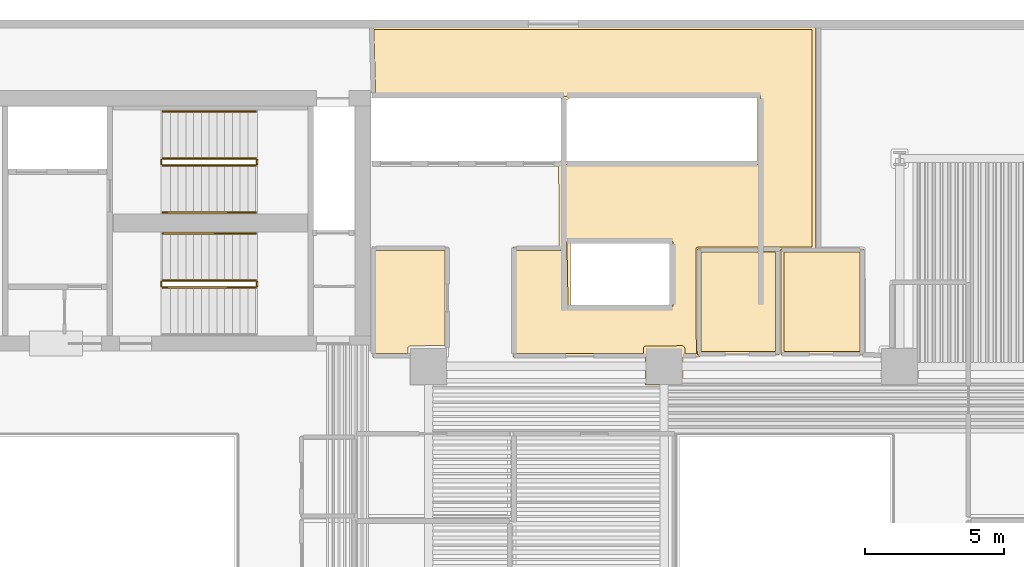
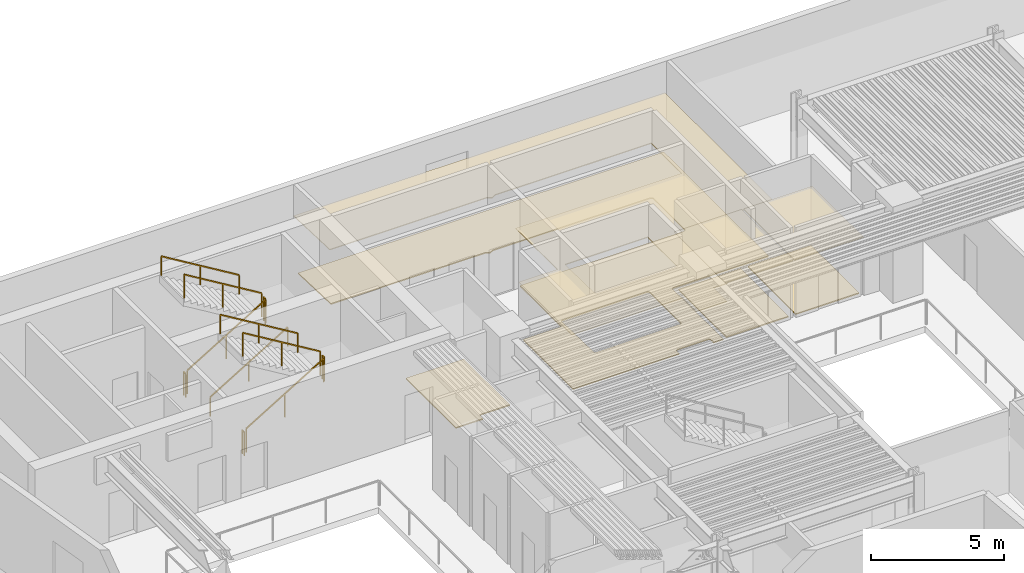
# One storey, part 11 of 12: 11 railings, 7 coverings.
"""IFC4 building model written with IfcOpenShell, lengths in metres."""

from ifc_helpers import new_model, si_unit, direction, frame, origin, origin_2d, place, context, subcontext, project, spatial, polyline, rectangle, outline, extrude, material, layer, layer_set, type_object, element, save


model = new_model("IFC4")

# Units and contexts
model_context = context("Model", 3, precision=1e-05, world=origin(), true_north=direction((0.0, 1.0)))
body_context = subcontext(model_context, "Body", "Model", "MODEL_VIEW")
ifc_project = project(units=[si_unit("LENGTHUNIT", "METRE"), si_unit("AREAUNIT", "SQUARE_METRE"), si_unit("VOLUMEUNIT", "CUBIC_METRE"), si_unit("PLANEANGLEUNIT", "RADIAN"), si_unit("MASSUNIT", "GRAM", prefix="KILO")], contexts=[model_context])

# Site, building, storey
site_placement = place(None, origin())
site = spatial("IfcSite", under=ifc_project, at=site_placement, CompositionType="ELEMENT")
building_placement = place(site_placement, origin())
building = spatial("IfcBuilding", under=site, at=building_placement, Name="Caeloran Harvest Quay", CompositionType="ELEMENT")
storey_placement = place(building_placement, frame((0.0, 0.0, 84.199951171875)))
storey = spatial("IfcBuildingStorey", under=building, at=storey_placement, Name="L19", CompositionType="ELEMENT", Elevation=84.199951171875)

# Coverings
ifc_material_1 = material(Name="Perforated Mineral-Fibre Acoustic Ceiling Tile", Category="ceiling")
ifc_layer_1 = layer(ifc_material_1, 0.0400390625, Name="Perforated Mineral-Fibre Acoustic Ceiling Tile")
ifc_layer_set_1 = layer_set([ifc_layer_1], Name="Perforated Mineral-Fibre Acoustic Ceiling Tile")
covering_type_1 = type_object("IfcCoveringType", Name="COV-CEILING-ACOUSTIC", PredefinedType="CEILING", material=ifc_layer_set_1)
covering_1_placement = place(storey_placement, frame((0.0, 0.0, 2.60009765625)))
element("IfcCovering", 1, at=covering_1_placement, inside=storey, type_object=covering_type_1, Name="L19 Core Telemetry West Room Acoustic Ceiling", PredefinedType="CEILING", context=body_context, shape_type="SweptSolid", body=[
    extrude(outline(polyline([(38.139892578125, 35.239990234375), (38.139892578125, 31.409912109375), (35.2099609375, 31.409912109375), (35.2099609375, 35.239990234375), (38.139892578125, 35.239990234375)])), origin(), (0.0, 0.0, 1.0), 0.0400390625),
])
covering_2_placement = place(storey_placement, frame((0.0, 0.0, 2.60009765625)))
element("IfcCovering", 2, at=covering_2_placement, inside=storey, type_object=covering_type_1, Name="L19 Core Metering East Room Acoustic Ceiling", PredefinedType="CEILING", context=body_context, shape_type="SweptSolid", body=[
    extrude(outline(polyline([(41.18994140625, 35.239990234375), (41.18994140625, 31.409912109375), (38.2099609375, 31.409912109375), (38.2099609375, 35.239990234375), (41.18994140625, 35.239990234375)])), origin(), (0.0, 0.0, 1.0), 0.0400390625),
])
covering_3_placement = place(storey_placement, frame((0.0, 0.0, 2.60009765625)))
element("IfcCovering", 3, at=covering_3_placement, inside=storey, type_object=covering_type_1, Name="Seed Library Reading Lounge 12 Acoustic Ceiling", PredefinedType="CEILING", context=body_context, shape_type="SweptSolid", body=[
    extrude(outline(polyline([(34.669921875, 30.330078125), (33.330078125, 30.330078125), (33.330078125, 31.340087890625), (28.5400390625, 31.340087890625), (28.5400390625, 35.31005859375), (30.209716796875, 35.31005859375), (30.189697265625, 38.409912109375), (37.3701171875, 38.409912109375), (37.3701171875, 40.68994140625), (30.61083984375, 40.68994140625), (30.43994140625, 40.5888671875), (30.26904296875, 40.68994140625), (23.47119140625, 40.68994140625), (23.399658203125, 43.280029296875), (39.4599609375, 43.280029296875), (39.4599609375, 35.18994140625), (35.26025390625, 35.18994140625), (35.2802734375, 31.340087890625), (34.669921875, 31.340087890625), (34.669921875, 30.330078125)]), holes=[polyline([(30.610595703125, 35.43994140625), (30.639404296875, 33.2099609375), (34.18994140625, 33.2099609375), (34.18994140625, 35.43994140625), (30.610595703125, 35.43994140625)])]), origin(), (0.0, 0.0, 1.0), 0.0400390625),
])
ifc_material_2 = material(Name="Calcium-Sulphate Raised Access Floor and Terrazzo Finish", Category="flooring")
ifc_layer_2 = layer(ifc_material_2, 0.050048828125, Name="Calcium-Sulphate Raised Access Floor and Terrazzo Finish")
ifc_layer_set_2 = layer_set([ifc_layer_2], Name="Calcium-Sulphate Raised Access Floor and Terrazzo Finish")
covering_type_2 = type_object("IfcCoveringType", Name="COV-FLOOR-RAISED", PredefinedType="FLOORING", material=ifc_layer_set_2)
covering_4_placement = place(storey_placement, origin())
element("IfcCovering", 4, at=covering_4_placement, inside=storey, type_object=covering_type_2, Name="L19 Core Telemetry West Room Raised Finish Flooring", PredefinedType="FLOORING", context=body_context, shape_type="SweptSolid", body=[
    extrude(outline(polyline([(38.02001953125, 35.1201171875), (38.02001953125, 31.530029296875), (35.330078125, 31.530029296875), (35.330078125, 35.1201171875), (38.02001953125, 35.1201171875)])), origin(), (0.0, 0.0, 1.0), 0.050048828125),
])
covering_5_placement = place(storey_placement, origin())
element("IfcCovering", 5, at=covering_5_placement, inside=storey, type_object=covering_type_2, Name="L19 Core Metering East Room Raised Finish Flooring", PredefinedType="FLOORING", context=body_context, shape_type="SweptSolid", body=[
    extrude(outline(polyline([(41.070068359375, 35.1201171875), (41.070068359375, 31.530029296875), (38.330078125, 31.530029296875), (38.330078125, 35.1201171875), (41.070068359375, 35.1201171875)])), origin(), (0.0, 0.0, 1.0), 0.050048828125),
])
covering_6_placement = place(storey_placement, origin())
element("IfcCovering", 6, at=covering_6_placement, inside=storey, type_object=covering_type_2, Name="Sensory Fermentation Kitchen 10 Raised Finish Flooring", PredefinedType="FLOORING", context=body_context, shape_type="SweptSolid", body=[
    extrude(outline(polyline([(23.590087890625, 35.18994140625), (26.090087890625, 35.18994140625), (26.090087890625, 31.7451171875), (24.8271484375, 31.74462890625), (24.75830078125, 31.688232421875), (24.7548828125, 31.4599609375), (23.590087890625, 31.4599609375), (23.590087890625, 35.18994140625)])), origin(), (0.0, 0.0, 1.0), 0.050048828125),
])
covering_7_placement = place(storey_placement, origin())
element("IfcCovering", 7, at=covering_7_placement, inside=storey, type_object=covering_type_2, Name="Seed Library Reading Lounge 12 Raised Finish Flooring", PredefinedType="FLOORING", context=body_context, shape_type="SweptSolid", body=[
    extrude(outline(polyline([(39.340087890625, 35.31005859375), (35.219970703125, 35.31005859375), (35.163330078125, 35.286376953125), (35.139892578125, 35.2294921875), (35.15966796875, 31.4599609375), (34.7451171875, 31.4599609375), (34.74169921875, 31.688232421875), (34.6650390625, 31.7451171875), (33.3193359375, 31.743408203125), (33.256591796875, 31.6806640625), (33.2548828125, 31.4599609375), (28.659912109375, 31.4599609375), (28.659912109375, 35.18994140625), (30.25, 35.18994140625), (30.32080078125, 35.232666015625), (30.310546875, 38.2900390625), (37.43310546875, 38.29345703125), (37.489990234375, 38.3701171875), (37.48388671875, 40.760498046875), (37.409912109375, 40.81005859375), (30.60009765625, 40.81005859375), (30.43994140625, 40.728271484375), (30.280029296875, 40.81005859375), (23.587890625, 40.81005859375), (23.523193359375, 43.159912109375), (39.340087890625, 43.159912109375), (39.340087890625, 35.31005859375)]), holes=[polyline([(34.31005859375, 35.47998046875), (34.28662109375, 35.53662109375), (34.22998046875, 35.56005859375), (30.525146484375, 35.54638671875), (30.489990234375, 35.47900390625), (30.53369140625, 33.125), (30.60009765625, 33.090087890625), (34.2744140625, 33.103515625), (34.31005859375, 33.169921875), (34.31005859375, 35.47998046875)])]), origin(), (0.0, 0.0, 1.0), 0.050048828125),
])

# Railings
ifc_material_3 = material(Name="Painted Steel Baluster and Top-Rail Stair Guard", Category="steel")
ifc_layer_3 = layer(ifc_material_3, 0.050048828125, Name="Painted Steel Baluster and Top-Rail Stair Guard")
ifc_layer_set_3 = layer_set([ifc_layer_3], Name="Painted Steel Baluster and Top-Rail Stair Guard")
railing_type_1 = type_object("IfcRailingType", Name="STAIR-GUARD-1100", PredefinedType="GUARDRAIL", material=ifc_layer_set_3)
railing_1_placement = place(storey_placement, frame((15.89990234375, 38.25, 0.169189453125)))
element("IfcRailing", 8, at=railing_1_placement, inside=storey, type_object=railing_type_1, Name="L19 ST-C1 stair guard 1", PredefinedType="GUARDRAIL", context=body_context, shape_type="SweptSolid", body=[
    extrude(rectangle(XDim=0.048095703125, YDim=0.048095703125, at=origin_2d()), frame((0.0, 0.0, 1.076171875), z_axis=(0.855836976705, 0.0, 0.517245656632), x_axis=(0.0, 1.0, 0.0)), (0.0, 0.0, 1.0), 3.926025390625),
    extrude(rectangle(XDim=0.0419921875, YDim=0.0419921875, at=origin_2d()), origin(), (0.0, 0.0, 1.0), 1.052001953125),
    extrude(rectangle(XDim=0.0419921875, YDim=0.0419921875, at=origin_2d()), frame((1.68017578125, 0.0, 1.015380859375)), (0.0, 0.0, 1.0), 1.052001953125),
    extrude(rectangle(XDim=0.0419921875, YDim=0.0419921875, at=origin_2d()), frame((3.360107421875, 0.0, 2.03076171875)), (0.0, 0.0, 1.0), 1.052001953125),
])
railing_2_placement = place(storey_placement, frame((19.31005859375, 38.300048828125, 2.199951171875)))
element("IfcRailing", 9, at=railing_2_placement, inside=storey, type_object=railing_type_1, Name="L19 ST-C1 stair guard 2", PredefinedType="GUARDRAIL", context=body_context, shape_type="SweptSolid", body=[
    extrude(rectangle(XDim=0.048095703125, YDim=0.048095703125, at=origin_2d()), frame((0.0, 0.0, 1.076171875), z_axis=(0.0, 1.0, 0.0), x_axis=(-1.0, 0.0, 0.0)), (0.0, 0.0, 1.0), 0.14990234375),
    extrude(rectangle(XDim=0.0419921875, YDim=0.0419921875, at=origin_2d()), origin(), (0.0, 0.0, 1.0), 1.052001953125),
    extrude(rectangle(XDim=0.0419921875, YDim=0.0419921875, at=origin_2d()), frame((0.0, 0.14990234375, 0.0)), (0.0, 0.0, 1.0), 1.052001953125),
])
railing_3_placement = place(storey_placement, frame((19.260009765625, 38.5, 2.369384765625)))
element("IfcRailing", 10, at=railing_3_placement, inside=storey, type_object=railing_type_1, Name="L19 ST-C1 stair guard 3", PredefinedType="GUARDRAIL", context=body_context, shape_type="SweptSolid", body=[
    extrude(rectangle(XDim=0.048095703125, YDim=0.048095703125, at=origin_2d()), frame((0.0, 0.0, 1.076171875), z_axis=(-0.855836976705, 0.0, 0.517245656632), x_axis=(0.0, -1.0, 0.0)), (0.0, 0.0, 1.0), 3.926025390625),
    extrude(rectangle(XDim=0.0419921875, YDim=0.0419921875, at=origin_2d()), origin(), (0.0, 0.0, 1.0), 1.052001953125),
    extrude(rectangle(XDim=0.0419921875, YDim=0.0419921875, at=origin_2d()), frame((-1.68017578125, 0.0, 1.015380859375)), (0.0, 0.0, 1.0), 1.052001953125),
    extrude(rectangle(XDim=0.0419921875, YDim=0.0419921875, at=origin_2d()), frame((-3.360107421875, 0.0, 2.03076171875)), (0.0, 0.0, 1.0), 1.052001953125),
])
railing_4_placement = place(storey_placement, frame((15.85009765625, 38.300048828125, 0.0)))
element("IfcRailing", 11, at=railing_4_placement, inside=storey, type_object=railing_type_1, Name="L19 ST-C1 stair guard 4", PredefinedType="GUARDRAIL", context=body_context, shape_type="SweptSolid", body=[
    extrude(rectangle(XDim=0.048095703125, YDim=0.048095703125, at=origin_2d()), frame((0.0, 0.0, 1.076171875), z_axis=(0.0, 1.0, 0.0), x_axis=(-1.0, 0.0, 0.0)), (0.0, 0.0, 1.0), 0.14990234375),
    extrude(rectangle(XDim=0.0419921875, YDim=0.0419921875, at=origin_2d()), origin(), (0.0, 0.0, 1.0), 1.052001953125),
    extrude(rectangle(XDim=0.0419921875, YDim=0.0419921875, at=origin_2d()), frame((0.0, 0.14990234375, 0.0)), (0.0, 0.0, 1.0), 1.052001953125),
])
railing_5_placement = place(storey_placement, frame((15.89990234375, 33.85009765625, 0.169189453125)))
element("IfcRailing", 12, at=railing_5_placement, inside=storey, type_object=railing_type_1, Name="L19 ST-C2 stair guard 1", PredefinedType="GUARDRAIL", context=body_context, shape_type="SweptSolid", body=[
    extrude(rectangle(XDim=0.048095703125, YDim=0.048095703125, at=origin_2d()), frame((0.0, 0.0, 1.076171875), z_axis=(0.855836976705, 0.0, 0.517245656632), x_axis=(0.0, 1.0, 0.0)), (0.0, 0.0, 1.0), 3.926025390625),
    extrude(rectangle(XDim=0.0419921875, YDim=0.0419921875, at=origin_2d()), origin(), (0.0, 0.0, 1.0), 1.052001953125),
    extrude(rectangle(XDim=0.0419921875, YDim=0.0419921875, at=origin_2d()), frame((1.68017578125, 0.0, 1.015380859375)), (0.0, 0.0, 1.0), 1.052001953125),
    extrude(rectangle(XDim=0.0419921875, YDim=0.0419921875, at=origin_2d()), frame((3.360107421875, 0.0, 2.03076171875)), (0.0, 0.0, 1.0), 1.052001953125),
])
railing_6_placement = place(storey_placement, frame((19.31005859375, 33.89990234375, 2.199951171875)))
element("IfcRailing", 13, at=railing_6_placement, inside=storey, type_object=railing_type_1, Name="L19 ST-C2 stair guard 2", PredefinedType="GUARDRAIL", context=body_context, shape_type="SweptSolid", body=[
    extrude(rectangle(XDim=0.048095703125, YDim=0.048095703125, at=origin_2d()), frame((0.0, 0.0, 1.076171875), z_axis=(0.0, 1.0, 0.0), x_axis=(-1.0, 0.0, 0.0)), (0.0, 0.0, 1.0), 0.150146484375),
    extrude(rectangle(XDim=0.0419921875, YDim=0.0419921875, at=origin_2d()), origin(), (0.0, 0.0, 1.0), 1.052001953125),
    extrude(rectangle(XDim=0.0419921875, YDim=0.0419921875, at=origin_2d()), frame((0.0, 0.150146484375, 0.0)), (0.0, 0.0, 1.0), 1.052001953125),
])
railing_7_placement = place(storey_placement, frame((19.260009765625, 34.10009765625, 2.369384765625)))
element("IfcRailing", 14, at=railing_7_placement, inside=storey, type_object=railing_type_1, Name="L19 ST-C2 stair guard 3", PredefinedType="GUARDRAIL", context=body_context, shape_type="SweptSolid", body=[
    extrude(rectangle(XDim=0.048095703125, YDim=0.048095703125, at=origin_2d()), frame((0.0, 0.0, 1.076171875), z_axis=(-0.855836976705, 0.0, 0.517245656632), x_axis=(0.0, -1.0, 0.0)), (0.0, 0.0, 1.0), 3.926025390625),
    extrude(rectangle(XDim=0.0419921875, YDim=0.0419921875, at=origin_2d()), origin(), (0.0, 0.0, 1.0), 1.052001953125),
    extrude(rectangle(XDim=0.0419921875, YDim=0.0419921875, at=origin_2d()), frame((-1.68017578125, 0.0, 1.015380859375)), (0.0, 0.0, 1.0), 1.052001953125),
    extrude(rectangle(XDim=0.0419921875, YDim=0.0419921875, at=origin_2d()), frame((-3.360107421875, 0.0, 2.03076171875)), (0.0, 0.0, 1.0), 1.052001953125),
])
railing_8_placement = place(storey_placement, frame((15.85009765625, 33.89990234375, 0.0)))
element("IfcRailing", 15, at=railing_8_placement, inside=storey, type_object=railing_type_1, Name="L19 ST-C2 stair guard 4", PredefinedType="GUARDRAIL", context=body_context, shape_type="SweptSolid", body=[
    extrude(rectangle(XDim=0.048095703125, YDim=0.048095703125, at=origin_2d()), frame((0.0, 0.0, 1.076171875), z_axis=(0.0, 1.0, 0.0), x_axis=(-1.0, 0.0, 0.0)), (0.0, 0.0, 1.0), 0.150146484375),
    extrude(rectangle(XDim=0.0419921875, YDim=0.0419921875, at=origin_2d()), origin(), (0.0, 0.0, 1.0), 1.052001953125),
    extrude(rectangle(XDim=0.0419921875, YDim=0.0419921875, at=origin_2d()), frame((0.0, 0.150146484375, 0.0)), (0.0, 0.0, 1.0), 1.052001953125),
])
ifc_material_4 = material(Name="Brushed Stainless Steel Grade 304", Category="steel")
ifc_layer_4 = layer(ifc_material_4, 0.050048828125, Name="Brushed Stainless Steel Grade 304")
ifc_layer_set_4 = layer_set([ifc_layer_4], Name="Brushed Stainless Steel Grade 304")
railing_type_2 = type_object("IfcRailingType", Name="STAIR-HANDRAIL-900", PredefinedType="HANDRAIL", material=ifc_layer_set_4)
railing_9_placement = place(storey_placement, frame((15.89990234375, 36.550048828125, 0.169189453125)))
element("IfcRailing", 16, at=railing_9_placement, inside=storey, type_object=railing_type_2, Name="L19 ST-C1 stair handrail 1", PredefinedType="HANDRAIL", context=body_context, shape_type="SweptSolid", body=[
    extrude(rectangle(XDim=0.048095703125, YDim=0.048095703125, at=origin_2d()), frame((0.0, 0.0, 0.8759765625), z_axis=(0.855836976705, 0.0, 0.517245656632), x_axis=(0.0, 1.0, 0.0)), (0.0, 0.0, 1.0), 3.926025390625),
    extrude(rectangle(XDim=0.0419921875, YDim=0.0419921875, at=origin_2d()), origin(), (0.0, 0.0, 1.0), 0.851806640625),
    extrude(rectangle(XDim=0.0419921875, YDim=0.0419921875, at=origin_2d()), frame((1.68017578125, 0.0, 1.015380859375)), (0.0, 0.0, 1.0), 0.851806640625),
    extrude(rectangle(XDim=0.0419921875, YDim=0.0419921875, at=origin_2d()), frame((3.360107421875, 0.0, 2.03076171875)), (0.0, 0.0, 1.0), 0.851806640625),
])
for number, where, name in (
    (17, (19.260009765625, 40.199951171875, 2.369384765625), "L19 ST-C1 stair handrail 2"),
    (18, (19.260009765625, 35.800048828125, 2.369384765625), "L19 ST-C2 stair handrail 2"),
):
    element("IfcRailing", number, at=place(storey_placement, frame(where)), inside=storey, type_object=railing_type_2, Name=name, PredefinedType="HANDRAIL", context=body_context, shape_type="SweptSolid", body=[
        extrude(rectangle(XDim=0.048095703125, YDim=0.048095703125, at=origin_2d()), frame((0.0, 0.0, 0.8759765625), z_axis=(-0.855836976705, 0.0, 0.517245656632), x_axis=(0.0, -1.0, 0.0)), (0.0, 0.0, 1.0), 3.926025390625),
        extrude(rectangle(XDim=0.0419921875, YDim=0.0419921875, at=origin_2d()), origin(), (0.0, 0.0, 1.0), 0.851806640625),
        extrude(rectangle(XDim=0.0419921875, YDim=0.0419921875, at=origin_2d()), frame((-1.68017578125, 0.0, 1.015380859375)), (0.0, 0.0, 1.0), 0.851806640625),
        extrude(rectangle(XDim=0.0419921875, YDim=0.0419921875, at=origin_2d()), frame((-3.360107421875, 0.0, 2.03076171875)), (0.0, 0.0, 1.0), 0.851806640625),
    ])

save(model, "model.ifc")
